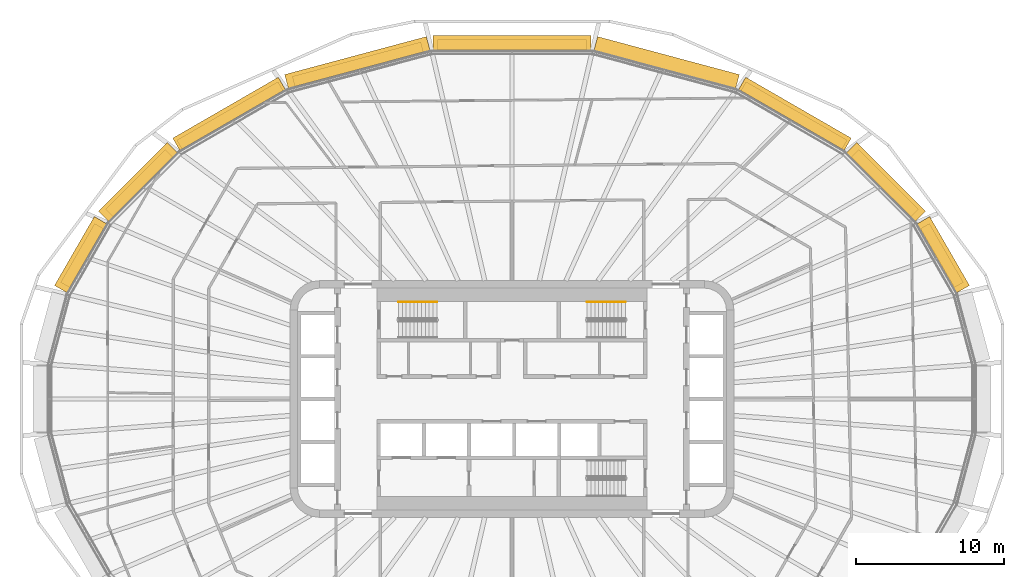
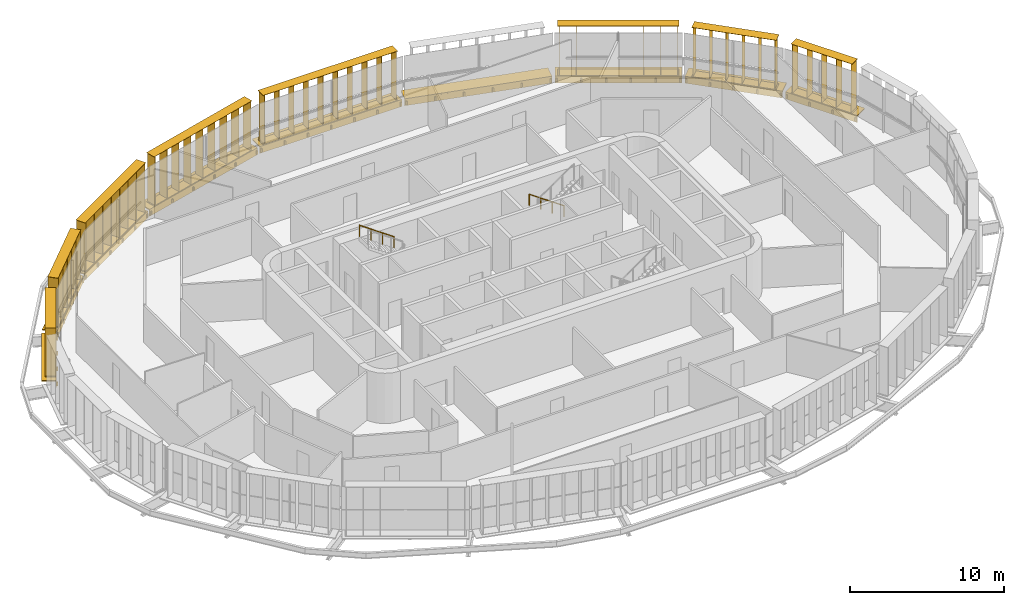
# One storey, part 22 of 23: 17 shading devices, 2 railings.
"""IFC4 building model written with IfcOpenShell, lengths in metres."""

from ifc_helpers import new_model, si_unit, direction, frame, origin, origin_2d, place, context, subcontext, project, spatial, rectangle, circle, extrude, material, type_object, element, save


model = new_model("IFC4")

# Units and contexts
model_context = context("Model", 3, precision=1e-05, world=origin(), true_north=direction((0.0, 1.0)))
body_context = subcontext(model_context, "Body", "Model", "MODEL_VIEW")
ifc_project = project(units=[si_unit("LENGTHUNIT", "METRE"), si_unit("AREAUNIT", "SQUARE_METRE"), si_unit("VOLUMEUNIT", "CUBIC_METRE"), si_unit("PLANEANGLEUNIT", "RADIAN"), si_unit("MASSUNIT", "GRAM", prefix="KILO")], contexts=[model_context])

# Site, building, storey
site_placement = place(None, origin())
site = spatial("IfcSite", under=ifc_project, at=site_placement, CompositionType="ELEMENT")
building_placement = place(site_placement, origin())
building = spatial("IfcBuilding", under=site, at=building_placement, Name="Sahrelin Media Tower", CompositionType="ELEMENT")
storey_placement = place(building_placement, frame((0.0, 0.0, 161.60009765625)))
storey = spatial("IfcBuildingStorey", under=building, at=storey_placement, Name="L33", CompositionType="ELEMENT", Elevation=161.60009765625)

# Shading devices
ifc_material_1 = material(Name="Champagne anodised aluminium 6063-T6", Category="aluminium")
shading_device_type_1 = type_object("IfcShadingDeviceType", Name="Fin cassette", PredefinedType="USERDEFINED", material=ifc_material_1)
placement_1 = place(storey_placement, frame((28.689208984375, 9.490966796875, 0.0), z_axis=(0.0, 0.0, 1.0), x_axis=(0.500011000363, -0.866019052629, 0.0)))
element("IfcShadingDevice", 1, at=placement_1, inside=storey, type_object=shading_device_type_1, Name="L33:FIN:L33-02", ObjectType="FIN", PredefinedType="USERDEFINED", context=body_context, shape_type="SweptSolid", body=[
    extrude(rectangle(XDim=4.60009765625, YDim=0.699951171875, at=origin_2d()), frame((0.0, 0.419921875, 0.0)), (0.0, 0.0, 1.0), 0.02001953125),
    extrude(rectangle(XDim=4.60009765625, YDim=0.699951171875, at=origin_2d()), frame((0.0, 0.419921875, 3.89990234375)), (0.0, 0.0, 1.0), 0.02001953125),
    extrude(rectangle(XDim=0.02001953125, YDim=0.699951171875, at=origin_2d()), frame((-2.199951171875, 0.419921875, 0.010009765625), z_axis=(0.0, 0.0, 1.0), x_axis=(1.0, 0.0, 0.0)), (0.0, 0.0, 1.0), 3.89990234375),
    extrude(rectangle(XDim=0.02001953125, YDim=0.699951171875, at=origin_2d()), frame((-1.10009765625, 0.419921875, 0.010009765625), z_axis=(0.0, 0.0, 1.0), x_axis=(1.0, 0.0, 0.0)), (0.0, 0.0, 1.0), 3.89990234375),
    extrude(rectangle(XDim=0.02001953125, YDim=0.699951171875, at=origin_2d()), frame((0.0, 0.419921875, 0.010009765625), z_axis=(0.0, 0.0, 1.0), x_axis=(1.0, 0.0, 0.0)), (0.0, 0.0, 1.0), 3.89990234375),
    extrude(rectangle(XDim=0.02001953125, YDim=0.699951171875, at=origin_2d()), frame((1.10009765625, 0.419921875, 0.010009765625), z_axis=(0.0, 0.0, 1.0), x_axis=(1.0, 0.0, 0.0)), (0.0, 0.0, 1.0), 3.89990234375),
    extrude(rectangle(XDim=0.02001953125, YDim=0.699951171875, at=origin_2d()), frame((2.199951171875, 0.419921875, 0.010009765625), z_axis=(0.0, 0.0, 1.0), x_axis=(1.0, 0.0, 0.0)), (0.0, 0.0, 1.0), 3.89990234375),
])
placement_2 = place(storey_placement, frame((24.900634765625, 14.30029296875, 0.0), z_axis=(0.0, 0.0, 1.0), x_axis=(0.707106781187, -0.707106781187, 0.0)))
element("IfcShadingDevice", 2, at=placement_2, inside=storey, type_object=shading_device_type_1, Name="L33:FIN:L33-03", ObjectType="FIN", PredefinedType="USERDEFINED", context=body_context, shape_type="SweptSolid", body=[
    extrude(rectangle(XDim=5.699951171875, YDim=0.699951171875, at=origin_2d()), frame((0.0, 0.419921875, 0.0)), (0.0, 0.0, 1.0), 0.02001953125),
    extrude(rectangle(XDim=5.699951171875, YDim=0.699951171875, at=origin_2d()), frame((0.0, 0.419921875, 3.89990234375)), (0.0, 0.0, 1.0), 0.02001953125),
    extrude(rectangle(XDim=0.02001953125, YDim=0.699951171875, at=origin_2d()), frame((-2.75, 0.419921875, 0.010009765625), z_axis=(0.0, 0.0, 1.0), x_axis=(1.0, 0.0, 0.0)), (0.0, 0.0, 1.0), 3.89990234375),
    extrude(rectangle(XDim=0.02001953125, YDim=0.699951171875, at=origin_2d()), frame((-1.64990234375, 0.419921875, 0.010009765625), z_axis=(0.0, 0.0, 1.0), x_axis=(1.0, 0.0, 0.0)), (0.0, 0.0, 1.0), 3.89990234375),
    extrude(rectangle(XDim=0.02001953125, YDim=0.699951171875, at=origin_2d()), frame((-0.550048828125, 0.419921875, 0.010009765625), z_axis=(0.0, 0.0, 1.0), x_axis=(1.0, 0.0, 0.0)), (0.0, 0.0, 1.0), 3.89990234375),
    extrude(rectangle(XDim=0.02001953125, YDim=0.699951171875, at=origin_2d()), frame((0.550048828125, 0.419921875, 0.010009765625), z_axis=(0.0, 0.0, 1.0), x_axis=(1.0, 0.0, 0.0)), (0.0, 0.0, 1.0), 3.89990234375),
    extrude(rectangle(XDim=0.02001953125, YDim=0.699951171875, at=origin_2d()), frame((1.64990234375, 0.419921875, 0.010009765625), z_axis=(0.0, 0.0, 1.0), x_axis=(1.0, 0.0, 0.0)), (0.0, 0.0, 1.0), 3.89990234375),
    extrude(rectangle(XDim=0.02001953125, YDim=0.699951171875, at=origin_2d()), frame((2.75, 0.419921875, 0.010009765625), z_axis=(0.0, 0.0, 1.0), x_axis=(1.0, 0.0, 0.0)), (0.0, 0.0, 1.0), 3.89990234375),
])
placement_3 = place(storey_placement, frame((18.85107421875, 18.804931640625, 0.0), z_axis=(0.0, 0.0, 1.0), x_axis=(0.866019052629, -0.500011000363, 0.0)))
element("IfcShadingDevice", 3, at=placement_3, inside=storey, type_object=shading_device_type_1, Name="L33:FIN:L33-04", ObjectType="FIN", PredefinedType="USERDEFINED", context=body_context, shape_type="SweptSolid", body=[
    extrude(rectangle(XDim=7.89990234375, YDim=0.699951171875, at=origin_2d()), frame((0.0, 0.419921875, 0.0)), (0.0, 0.0, 1.0), 0.02001953125),
    extrude(rectangle(XDim=7.89990234375, YDim=0.699951171875, at=origin_2d()), frame((0.0, 0.419921875, 3.89990234375)), (0.0, 0.0, 1.0), 0.02001953125),
    extrude(rectangle(XDim=0.02001953125, YDim=0.699951171875, at=origin_2d()), frame((-3.85009765625, 0.419921875, 0.010009765625), z_axis=(0.0, 0.0, 1.0), x_axis=(1.0, 0.0, 0.0)), (0.0, 0.0, 1.0), 3.89990234375),
    extrude(rectangle(XDim=0.02001953125, YDim=0.699951171875, at=origin_2d()), frame((-2.75, 0.419921875, 0.010009765625), z_axis=(0.0, 0.0, 1.0), x_axis=(1.0, 0.0, 0.0)), (0.0, 0.0, 1.0), 3.89990234375),
    extrude(rectangle(XDim=0.02001953125, YDim=0.699951171875, at=origin_2d()), frame((-1.64990234375, 0.419921875, 0.010009765625), z_axis=(0.0, 0.0, 1.0), x_axis=(1.0, 0.0, 0.0)), (0.0, 0.0, 1.0), 3.89990234375),
    extrude(rectangle(XDim=0.02001953125, YDim=0.699951171875, at=origin_2d()), frame((-0.550048828125, 0.419921875, 0.010009765625), z_axis=(0.0, 0.0, 1.0), x_axis=(1.0, 0.0, 0.0)), (0.0, 0.0, 1.0), 3.89990234375),
    extrude(rectangle(XDim=0.02001953125, YDim=0.699951171875, at=origin_2d()), frame((0.550048828125, 0.419921875, 0.010009765625), z_axis=(0.0, 0.0, 1.0), x_axis=(1.0, 0.0, 0.0)), (0.0, 0.0, 1.0), 3.89990234375),
    extrude(rectangle(XDim=0.02001953125, YDim=0.699951171875, at=origin_2d()), frame((1.64990234375, 0.419921875, 0.010009765625), z_axis=(0.0, 0.0, 1.0), x_axis=(1.0, 0.0, 0.0)), (0.0, 0.0, 1.0), 3.89990234375),
    extrude(rectangle(XDim=0.02001953125, YDim=0.699951171875, at=origin_2d()), frame((2.75, 0.419921875, 0.010009765625), z_axis=(0.0, 0.0, 1.0), x_axis=(1.0, 0.0, 0.0)), (0.0, 0.0, 1.0), 3.89990234375),
    extrude(rectangle(XDim=0.02001953125, YDim=0.699951171875, at=origin_2d()), frame((3.85009765625, 0.419921875, 0.010009765625), z_axis=(0.0, 0.0, 1.0), x_axis=(1.0, 0.0, 0.0)), (0.0, 0.0, 1.0), 3.89990234375),
])
placement_4 = place(storey_placement, frame((0.0, 23.532470703125, 0.0), z_axis=(0.0, 0.0, 1.0), x_axis=(1.0, 0.0, 0.0)))
element("IfcShadingDevice", 4, at=placement_4, inside=storey, type_object=shading_device_type_1, Name="L33:FIN:L33-06", ObjectType="FIN", PredefinedType="USERDEFINED", context=body_context, shape_type="SweptSolid", body=[
    extrude(rectangle(XDim=10.10009765625, YDim=0.699951171875, at=origin_2d()), frame((0.0, 0.419921875, 0.0)), (0.0, 0.0, 1.0), 0.02001953125),
    extrude(rectangle(XDim=10.10009765625, YDim=0.699951171875, at=origin_2d()), frame((0.0, 0.419921875, 3.89990234375)), (0.0, 0.0, 1.0), 0.02001953125),
    extrude(rectangle(XDim=0.02001953125, YDim=0.699951171875, at=origin_2d()), frame((-4.949951171875, 0.419921875, 0.010009765625), z_axis=(0.0, 0.0, 1.0), x_axis=(1.0, 0.0, 0.0)), (0.0, 0.0, 1.0), 3.89990234375),
    extrude(rectangle(XDim=0.02001953125, YDim=0.699951171875, at=origin_2d()), frame((-3.85009765625, 0.419921875, 0.010009765625), z_axis=(0.0, 0.0, 1.0), x_axis=(1.0, 0.0, 0.0)), (0.0, 0.0, 1.0), 3.89990234375),
    extrude(rectangle(XDim=0.02001953125, YDim=0.699951171875, at=origin_2d()), frame((-2.75, 0.419921875, 0.010009765625), z_axis=(0.0, 0.0, 1.0), x_axis=(1.0, 0.0, 0.0)), (0.0, 0.0, 1.0), 3.89990234375),
    extrude(rectangle(XDim=0.02001953125, YDim=0.699951171875, at=origin_2d()), frame((-1.64990234375, 0.419921875, 0.010009765625), z_axis=(0.0, 0.0, 1.0), x_axis=(1.0, 0.0, 0.0)), (0.0, 0.0, 1.0), 3.89990234375),
    extrude(rectangle(XDim=0.02001953125, YDim=0.699951171875, at=origin_2d()), frame((-0.550048828125, 0.419921875, 0.010009765625), z_axis=(0.0, 0.0, 1.0), x_axis=(1.0, 0.0, 0.0)), (0.0, 0.0, 1.0), 3.89990234375),
    extrude(rectangle(XDim=0.02001953125, YDim=0.699951171875, at=origin_2d()), frame((0.550048828125, 0.419921875, 0.010009765625), z_axis=(0.0, 0.0, 1.0), x_axis=(1.0, 0.0, 0.0)), (0.0, 0.0, 1.0), 3.89990234375),
    extrude(rectangle(XDim=0.02001953125, YDim=0.699951171875, at=origin_2d()), frame((1.64990234375, 0.419921875, 0.010009765625), z_axis=(0.0, 0.0, 1.0), x_axis=(1.0, 0.0, 0.0)), (0.0, 0.0, 1.0), 3.89990234375),
    extrude(rectangle(XDim=0.02001953125, YDim=0.699951171875, at=origin_2d()), frame((2.75, 0.419921875, 0.010009765625), z_axis=(0.0, 0.0, 1.0), x_axis=(1.0, 0.0, 0.0)), (0.0, 0.0, 1.0), 3.89990234375),
    extrude(rectangle(XDim=0.02001953125, YDim=0.699951171875, at=origin_2d()), frame((3.85009765625, 0.419921875, 0.010009765625), z_axis=(0.0, 0.0, 1.0), x_axis=(1.0, 0.0, 0.0)), (0.0, 0.0, 1.0), 3.89990234375),
    extrude(rectangle(XDim=0.02001953125, YDim=0.699951171875, at=origin_2d()), frame((4.949951171875, 0.419921875, 0.010009765625), z_axis=(0.0, 0.0, 1.0), x_axis=(1.0, 0.0, 0.0)), (0.0, 0.0, 1.0), 3.89990234375),
])
placement_5 = place(storey_placement, frame((-10.312255859375, 22.2236328125, 0.0), z_axis=(0.0, 0.0, 1.0), x_axis=(0.965928857556, 0.258807731996, 0.0)))
element("IfcShadingDevice", 5, at=placement_5, inside=storey, type_object=shading_device_type_1, Name="L33:FIN:L33-07", ObjectType="FIN", PredefinedType="USERDEFINED", context=body_context, shape_type="SweptSolid", body=[
    extrude(rectangle(XDim=9.0, YDim=0.699951171875, at=origin_2d()), frame((0.0, 0.419921875, 0.0)), (0.0, 0.0, 1.0), 0.02001953125),
    extrude(rectangle(XDim=9.0, YDim=0.699951171875, at=origin_2d()), frame((0.0, 0.419921875, 3.89990234375)), (0.0, 0.0, 1.0), 0.02001953125),
    extrude(rectangle(XDim=0.02001953125, YDim=0.699951171875, at=origin_2d()), frame((-4.39990234375, 0.419921875, 0.010009765625), z_axis=(0.0, 0.0, 1.0), x_axis=(1.0, 0.0, 0.0)), (0.0, 0.0, 1.0), 3.89990234375),
    extrude(rectangle(XDim=0.02001953125, YDim=0.699951171875, at=origin_2d()), frame((-3.300048828125, 0.419921875, 0.010009765625), z_axis=(0.0, 0.0, 1.0), x_axis=(1.0, 0.0, 0.0)), (0.0, 0.0, 1.0), 3.89990234375),
    extrude(rectangle(XDim=0.02001953125, YDim=0.699951171875, at=origin_2d()), frame((-2.199951171875, 0.419921875, 0.010009765625), z_axis=(0.0, 0.0, 1.0), x_axis=(1.0, 0.0, 0.0)), (0.0, 0.0, 1.0), 3.89990234375),
    extrude(rectangle(XDim=0.02001953125, YDim=0.699951171875, at=origin_2d()), frame((-1.10009765625, 0.419921875, 0.010009765625), z_axis=(0.0, 0.0, 1.0), x_axis=(1.0, 0.0, 0.0)), (0.0, 0.0, 1.0), 3.89990234375),
    extrude(rectangle(XDim=0.02001953125, YDim=0.699951171875, at=origin_2d()), frame((0.0, 0.419921875, 0.010009765625), z_axis=(0.0, 0.0, 1.0), x_axis=(1.0, 0.0, 0.0)), (0.0, 0.0, 1.0), 3.89990234375),
    extrude(rectangle(XDim=0.02001953125, YDim=0.699951171875, at=origin_2d()), frame((1.10009765625, 0.419921875, 0.010009765625), z_axis=(0.0, 0.0, 1.0), x_axis=(1.0, 0.0, 0.0)), (0.0, 0.0, 1.0), 3.89990234375),
    extrude(rectangle(XDim=0.02001953125, YDim=0.699951171875, at=origin_2d()), frame((2.199951171875, 0.419921875, 0.010009765625), z_axis=(0.0, 0.0, 1.0), x_axis=(1.0, 0.0, 0.0)), (0.0, 0.0, 1.0), 3.89990234375),
    extrude(rectangle(XDim=0.02001953125, YDim=0.699951171875, at=origin_2d()), frame((3.300048828125, 0.419921875, 0.010009765625), z_axis=(0.0, 0.0, 1.0), x_axis=(1.0, 0.0, 0.0)), (0.0, 0.0, 1.0), 3.89990234375),
    extrude(rectangle(XDim=0.02001953125, YDim=0.699951171875, at=origin_2d()), frame((4.39990234375, 0.419921875, 0.010009765625), z_axis=(0.0, 0.0, 1.0), x_axis=(1.0, 0.0, 0.0)), (0.0, 0.0, 1.0), 3.89990234375),
])
placement_6 = place(storey_placement, frame((-18.85107421875, 18.804931640625, 0.0), z_axis=(0.0, 0.0, 1.0), x_axis=(0.866019052629, 0.500011000363, 0.0)))
element("IfcShadingDevice", 6, at=placement_6, inside=storey, type_object=shading_device_type_1, Name="L33:FIN:L33-08", ObjectType="FIN", PredefinedType="USERDEFINED", context=body_context, shape_type="SweptSolid", body=[
    extrude(rectangle(XDim=7.89990234375, YDim=0.699951171875, at=origin_2d()), frame((0.0, 0.419921875, 0.0)), (0.0, 0.0, 1.0), 0.02001953125),
    extrude(rectangle(XDim=7.89990234375, YDim=0.699951171875, at=origin_2d()), frame((0.0, 0.419921875, 3.89990234375)), (0.0, 0.0, 1.0), 0.02001953125),
    extrude(rectangle(XDim=0.02001953125, YDim=0.699951171875, at=origin_2d()), frame((-3.85009765625, 0.419921875, 0.010009765625), z_axis=(0.0, 0.0, 1.0), x_axis=(1.0, 0.0, 0.0)), (0.0, 0.0, 1.0), 3.89990234375),
    extrude(rectangle(XDim=0.02001953125, YDim=0.699951171875, at=origin_2d()), frame((-2.75, 0.419921875, 0.010009765625), z_axis=(0.0, 0.0, 1.0), x_axis=(1.0, 0.0, 0.0)), (0.0, 0.0, 1.0), 3.89990234375),
    extrude(rectangle(XDim=0.02001953125, YDim=0.699951171875, at=origin_2d()), frame((-1.64990234375, 0.419921875, 0.010009765625), z_axis=(0.0, 0.0, 1.0), x_axis=(1.0, 0.0, 0.0)), (0.0, 0.0, 1.0), 3.89990234375),
    extrude(rectangle(XDim=0.02001953125, YDim=0.699951171875, at=origin_2d()), frame((-0.550048828125, 0.419921875, 0.010009765625), z_axis=(0.0, 0.0, 1.0), x_axis=(1.0, 0.0, 0.0)), (0.0, 0.0, 1.0), 3.89990234375),
    extrude(rectangle(XDim=0.02001953125, YDim=0.699951171875, at=origin_2d()), frame((0.550048828125, 0.419921875, 0.010009765625), z_axis=(0.0, 0.0, 1.0), x_axis=(1.0, 0.0, 0.0)), (0.0, 0.0, 1.0), 3.89990234375),
    extrude(rectangle(XDim=0.02001953125, YDim=0.699951171875, at=origin_2d()), frame((1.64990234375, 0.419921875, 0.010009765625), z_axis=(0.0, 0.0, 1.0), x_axis=(1.0, 0.0, 0.0)), (0.0, 0.0, 1.0), 3.89990234375),
    extrude(rectangle(XDim=0.02001953125, YDim=0.699951171875, at=origin_2d()), frame((2.75, 0.419921875, 0.010009765625), z_axis=(0.0, 0.0, 1.0), x_axis=(1.0, 0.0, 0.0)), (0.0, 0.0, 1.0), 3.89990234375),
    extrude(rectangle(XDim=0.02001953125, YDim=0.699951171875, at=origin_2d()), frame((3.85009765625, 0.419921875, 0.010009765625), z_axis=(0.0, 0.0, 1.0), x_axis=(1.0, 0.0, 0.0)), (0.0, 0.0, 1.0), 3.89990234375),
])
placement_7 = place(storey_placement, frame((-24.900390625, 14.300048828125, 0.0), z_axis=(0.0, 0.0, 1.0), x_axis=(0.707106781187, 0.707106781187, 0.0)))
element("IfcShadingDevice", 7, at=placement_7, inside=storey, type_object=shading_device_type_1, Name="L33:FIN:L33-09", ObjectType="FIN", PredefinedType="USERDEFINED", context=body_context, shape_type="SweptSolid", body=[
    extrude(rectangle(XDim=5.699951171875, YDim=0.699951171875, at=origin_2d()), frame((0.0, 0.419921875, 0.0)), (0.0, 0.0, 1.0), 0.02001953125),
    extrude(rectangle(XDim=5.699951171875, YDim=0.699951171875, at=origin_2d()), frame((0.0, 0.419921875, 3.89990234375)), (0.0, 0.0, 1.0), 0.02001953125),
    extrude(rectangle(XDim=0.02001953125, YDim=0.699951171875, at=origin_2d()), frame((-2.75, 0.419921875, 0.010009765625), z_axis=(0.0, 0.0, 1.0), x_axis=(1.0, 0.0, 0.0)), (0.0, 0.0, 1.0), 3.89990234375),
    extrude(rectangle(XDim=0.02001953125, YDim=0.699951171875, at=origin_2d()), frame((-1.64990234375, 0.419921875, 0.010009765625), z_axis=(0.0, 0.0, 1.0), x_axis=(1.0, 0.0, 0.0)), (0.0, 0.0, 1.0), 3.89990234375),
    extrude(rectangle(XDim=0.02001953125, YDim=0.699951171875, at=origin_2d()), frame((-0.550048828125, 0.419921875, 0.010009765625), z_axis=(0.0, 0.0, 1.0), x_axis=(1.0, 0.0, 0.0)), (0.0, 0.0, 1.0), 3.89990234375),
    extrude(rectangle(XDim=0.02001953125, YDim=0.699951171875, at=origin_2d()), frame((0.550048828125, 0.419921875, 0.010009765625), z_axis=(0.0, 0.0, 1.0), x_axis=(1.0, 0.0, 0.0)), (0.0, 0.0, 1.0), 3.89990234375),
    extrude(rectangle(XDim=0.02001953125, YDim=0.699951171875, at=origin_2d()), frame((1.64990234375, 0.419921875, 0.010009765625), z_axis=(0.0, 0.0, 1.0), x_axis=(1.0, 0.0, 0.0)), (0.0, 0.0, 1.0), 3.89990234375),
    extrude(rectangle(XDim=0.02001953125, YDim=0.699951171875, at=origin_2d()), frame((2.75, 0.419921875, 0.010009765625), z_axis=(0.0, 0.0, 1.0), x_axis=(1.0, 0.0, 0.0)), (0.0, 0.0, 1.0), 3.89990234375),
])
placement_8 = place(storey_placement, frame((-28.689208984375, 9.490966796875, 0.0), z_axis=(0.0, 0.0, 1.0), x_axis=(0.500011000363, 0.866019052629, 0.0)))
element("IfcShadingDevice", 8, at=placement_8, inside=storey, type_object=shading_device_type_1, Name="L33:FIN:L33-10", ObjectType="FIN", PredefinedType="USERDEFINED", context=body_context, shape_type="SweptSolid", body=[
    extrude(rectangle(XDim=4.60009765625, YDim=0.699951171875, at=origin_2d()), frame((0.0, 0.419921875, 0.0)), (0.0, 0.0, 1.0), 0.02001953125),
    extrude(rectangle(XDim=4.60009765625, YDim=0.699951171875, at=origin_2d()), frame((0.0, 0.419921875, 3.89990234375)), (0.0, 0.0, 1.0), 0.02001953125),
    extrude(rectangle(XDim=0.02001953125, YDim=0.699951171875, at=origin_2d()), frame((-2.199951171875, 0.419921875, 0.010009765625), z_axis=(0.0, 0.0, 1.0), x_axis=(1.0, 0.0, 0.0)), (0.0, 0.0, 1.0), 3.89990234375),
    extrude(rectangle(XDim=0.02001953125, YDim=0.699951171875, at=origin_2d()), frame((-1.10009765625, 0.419921875, 0.010009765625), z_axis=(0.0, 0.0, 1.0), x_axis=(1.0, 0.0, 0.0)), (0.0, 0.0, 1.0), 3.89990234375),
    extrude(rectangle(XDim=0.02001953125, YDim=0.699951171875, at=origin_2d()), frame((0.0, 0.419921875, 0.010009765625), z_axis=(0.0, 0.0, 1.0), x_axis=(1.0, 0.0, 0.0)), (0.0, 0.0, 1.0), 3.89990234375),
    extrude(rectangle(XDim=0.02001953125, YDim=0.699951171875, at=origin_2d()), frame((1.10009765625, 0.419921875, 0.010009765625), z_axis=(0.0, 0.0, 1.0), x_axis=(1.0, 0.0, 0.0)), (0.0, 0.0, 1.0), 3.89990234375),
    extrude(rectangle(XDim=0.02001953125, YDim=0.699951171875, at=origin_2d()), frame((2.199951171875, 0.419921875, 0.010009765625), z_axis=(0.0, 0.0, 1.0), x_axis=(1.0, 0.0, 0.0)), (0.0, 0.0, 1.0), 3.89990234375),
])

# Railings
ifc_material_2 = material(Name="Steel S355", Category="steel")
railing_type = type_object("IfcRailingType", Name="Stair handrail 900", PredefinedType="HANDRAIL", material=ifc_material_2)
for number, where, name in (
    (9, (-5.074951171875, 6.550048828125, 2.181640625), "L33 ST1 stair handrail 2"),
    (10, (7.675048828125, 6.550048828125, 0.181640625), "L33 ST3 stair handrail 1"),
):
    element("IfcRailing", number, at=place(storey_placement, frame(where)), inside=storey, type_object=railing_type, Name=name, PredefinedType="HANDRAIL", context=body_context, shape_type="SweptSolid", body=[
        extrude(circle(Radius=0.02392578125, at=origin_2d()), frame((0.0, 0.0, 0.8759765625), z_axis=(-0.819484887739, 0.0, 0.573100792852), x_axis=(0.0, -1.0, 0.0)), (0.0, 0.0, 1.0), 3.1728515625),
        extrude(circle(Radius=0.02099609375, at=origin_2d()), origin(), (0.0, 0.0, 1.0), 0.851806640625),
        extrude(circle(Radius=0.02099609375, at=origin_2d()), frame((-0.86669921875, 0.0, 0.606201171875)), (0.0, 0.0, 1.0), 0.851806640625),
        extrude(circle(Radius=0.02099609375, at=origin_2d()), frame((-1.7333984375, 0.0, 1.212158203125)), (0.0, 0.0, 1.0), 0.851806640625),
        extrude(circle(Radius=0.02099609375, at=origin_2d()), frame((-2.60009765625, 0.0, 1.818359375)), (0.0, 0.0, 1.0), 0.851806640625),
    ])

# Shading devices
shading_device_type_2 = type_object("IfcShadingDeviceType", Name="Sunshade band", PredefinedType="USERDEFINED", material=ifc_material_1)
element("IfcShadingDevice", 11, at=placement_1, inside=storey, type_object=shading_device_type_2, Name="L33:SUN:L33-02", ObjectType="SUNSHADE", PredefinedType="USERDEFINED", context=body_context, shape_type="SweptSolid", body=[
    extrude(rectangle(XDim=5.375732421875, YDim=0.050048828125, at=origin_2d()), frame((0.0, 0.044921875, -0.55126953125)), (0.0, 0.0, 1.0), 0.471435546875),
    extrude(rectangle(XDim=5.375732421875, YDim=1.0, at=origin_2d()), frame((0.0, 0.52001953125, -0.080078125)), (0.0, 0.0, 1.0), 0.080078125),
    extrude(rectangle(XDim=0.10009765625, YDim=0.074951171875, at=origin_2d()), frame((-2.587890625, -0.017578125, -0.47021484375)), (0.0, 0.0, 1.0), 0.300048828125),
    extrude(rectangle(XDim=0.10009765625, YDim=0.074951171875, at=origin_2d()), frame((-0.862548828125, -0.017578125, -0.47021484375)), (0.0, 0.0, 1.0), 0.300048828125),
    extrude(rectangle(XDim=0.10009765625, YDim=0.074951171875, at=origin_2d()), frame((0.862548828125, -0.017578125, -0.47021484375)), (0.0, 0.0, 1.0), 0.300048828125),
    extrude(rectangle(XDim=0.10009765625, YDim=0.074951171875, at=origin_2d()), frame((2.587890625, -0.017578125, -0.47021484375)), (0.0, 0.0, 1.0), 0.300048828125),
])
element("IfcShadingDevice", 12, at=placement_2, inside=storey, type_object=shading_device_type_2, Name="L33:SUN:L33-03", ObjectType="SUNSHADE", PredefinedType="USERDEFINED", context=body_context, shape_type="SweptSolid", body=[
    extrude(rectangle(XDim=6.573486328125, YDim=0.050048828125, at=origin_2d()), frame((0.0, 0.044921875, -0.55126953125)), (0.0, 0.0, 1.0), 0.471435546875),
    extrude(rectangle(XDim=6.573486328125, YDim=1.0, at=origin_2d()), frame((0.0, 0.52001953125, -0.080078125)), (0.0, 0.0, 1.0), 0.080078125),
    extrude(rectangle(XDim=0.10009765625, YDim=0.074951171875, at=origin_2d()), frame((-3.186767578125, -0.017578125, -0.47021484375)), (0.0, 0.0, 1.0), 0.300048828125),
    extrude(rectangle(XDim=0.10009765625, YDim=0.074951171875, at=origin_2d()), frame((-1.59326171875, -0.017578125, -0.47021484375)), (0.0, 0.0, 1.0), 0.300048828125),
    extrude(rectangle(XDim=0.10009765625, YDim=0.074951171875, at=origin_2d()), frame((0.0, -0.017578125, -0.47021484375)), (0.0, 0.0, 1.0), 0.300048828125),
    extrude(rectangle(XDim=0.10009765625, YDim=0.074951171875, at=origin_2d()), frame((1.59326171875, -0.017578125, -0.47021484375)), (0.0, 0.0, 1.0), 0.300048828125),
    extrude(rectangle(XDim=0.10009765625, YDim=0.074951171875, at=origin_2d()), frame((3.186767578125, -0.017578125, -0.47021484375)), (0.0, 0.0, 1.0), 0.300048828125),
])
element("IfcShadingDevice", 13, at=placement_3, inside=storey, type_object=shading_device_type_2, Name="L33:SUN:L33-04", ObjectType="SUNSHADE", PredefinedType="USERDEFINED", context=body_context, shape_type="SweptSolid", body=[
    extrude(rectangle(XDim=8.240478515625, YDim=0.050048828125, at=origin_2d()), frame((0.0, 0.044921875, -0.55126953125)), (0.0, 0.0, 1.0), 0.471435546875),
    extrude(rectangle(XDim=8.240478515625, YDim=1.0, at=origin_2d()), frame((0.0, 0.52001953125, -0.080078125)), (0.0, 0.0, 1.0), 0.080078125),
    extrude(rectangle(XDim=0.10009765625, YDim=0.074951171875, at=origin_2d()), frame((-4.020263671875, -0.017578125, -0.47021484375)), (0.0, 0.0, 1.0), 0.300048828125),
    extrude(rectangle(XDim=0.10009765625, YDim=0.074951171875, at=origin_2d()), frame((-2.412109375, -0.017578125, -0.47021484375)), (0.0, 0.0, 1.0), 0.300048828125),
    extrude(rectangle(XDim=0.10009765625, YDim=0.074951171875, at=origin_2d()), frame((-0.803955078125, -0.017578125, -0.47021484375)), (0.0, 0.0, 1.0), 0.300048828125),
    extrude(rectangle(XDim=0.10009765625, YDim=0.074951171875, at=origin_2d()), frame((0.803955078125, -0.017578125, -0.47021484375)), (0.0, 0.0, 1.0), 0.300048828125),
    extrude(rectangle(XDim=0.10009765625, YDim=0.074951171875, at=origin_2d()), frame((2.412109375, -0.017578125, -0.47021484375)), (0.0, 0.0, 1.0), 0.300048828125),
    extrude(rectangle(XDim=0.10009765625, YDim=0.074951171875, at=origin_2d()), frame((4.020263671875, -0.017578125, -0.47021484375)), (0.0, 0.0, 1.0), 0.300048828125),
])
shading_device_12_placement = place(storey_placement, frame((10.312255859375, 22.2236328125, 0.0), z_axis=(0.0, 0.0, 1.0), x_axis=(0.965928857556, -0.258807731996, 0.0)))
element("IfcShadingDevice", 14, at=shading_device_12_placement, inside=storey, type_object=shading_device_type_2, Name="L33:SUN:L33-05", ObjectType="SUNSHADE", PredefinedType="USERDEFINED", context=body_context, shape_type="SweptSolid", body=[
    extrude(rectangle(XDim=9.91259765625, YDim=0.050048828125, at=origin_2d()), frame((0.0, 0.044921875, -0.55126953125)), (0.0, 0.0, 1.0), 0.471435546875),
    extrude(rectangle(XDim=9.91259765625, YDim=1.0, at=origin_2d()), frame((0.0, 0.52001953125, -0.080078125)), (0.0, 0.0, 1.0), 0.080078125),
    extrude(rectangle(XDim=0.10009765625, YDim=0.074951171875, at=origin_2d()), frame((-4.856201171875, -0.017578125, -0.47021484375)), (0.0, 0.0, 1.0), 0.300048828125),
    extrude(rectangle(XDim=0.10009765625, YDim=0.074951171875, at=origin_2d()), frame((-2.913818359375, -0.017578125, -0.47021484375)), (0.0, 0.0, 1.0), 0.300048828125),
    extrude(rectangle(XDim=0.10009765625, YDim=0.074951171875, at=origin_2d()), frame((-0.97119140625, -0.017578125, -0.47021484375)), (0.0, 0.0, 1.0), 0.300048828125),
    extrude(rectangle(XDim=0.10009765625, YDim=0.074951171875, at=origin_2d()), frame((0.97119140625, -0.017578125, -0.47021484375)), (0.0, 0.0, 1.0), 0.300048828125),
    extrude(rectangle(XDim=0.10009765625, YDim=0.074951171875, at=origin_2d()), frame((2.913818359375, -0.017578125, -0.47021484375)), (0.0, 0.0, 1.0), 0.300048828125),
    extrude(rectangle(XDim=0.10009765625, YDim=0.074951171875, at=origin_2d()), frame((4.856201171875, -0.017578125, -0.47021484375)), (0.0, 0.0, 1.0), 0.300048828125),
])
element("IfcShadingDevice", 15, at=placement_4, inside=storey, type_object=shading_device_type_2, Name="L33:SUN:L33-06", ObjectType="SUNSHADE", PredefinedType="USERDEFINED", context=body_context, shape_type="SweptSolid", body=[
    extrude(rectangle(XDim=10.656494140625, YDim=0.050048828125, at=origin_2d()), frame((0.0, 0.044921875, -0.55126953125)), (0.0, 0.0, 1.0), 0.471435546875),
    extrude(rectangle(XDim=10.656494140625, YDim=1.0, at=origin_2d()), frame((0.0, 0.52001953125, -0.080078125)), (0.0, 0.0, 1.0), 0.080078125),
    extrude(rectangle(XDim=0.10009765625, YDim=0.074951171875, at=origin_2d()), frame((-5.228271484375, -0.017578125, -0.47021484375)), (0.0, 0.0, 1.0), 0.300048828125),
    extrude(rectangle(XDim=0.10009765625, YDim=0.074951171875, at=origin_2d()), frame((-3.485595703125, -0.017578125, -0.47021484375)), (0.0, 0.0, 1.0), 0.300048828125),
    extrude(rectangle(XDim=0.10009765625, YDim=0.074951171875, at=origin_2d()), frame((-1.74267578125, -0.017578125, -0.47021484375)), (0.0, 0.0, 1.0), 0.300048828125),
    extrude(rectangle(XDim=0.10009765625, YDim=0.074951171875, at=origin_2d()), frame((0.0, -0.017578125, -0.47021484375)), (0.0, 0.0, 1.0), 0.300048828125),
    extrude(rectangle(XDim=0.10009765625, YDim=0.074951171875, at=origin_2d()), frame((1.74267578125, -0.017578125, -0.47021484375)), (0.0, 0.0, 1.0), 0.300048828125),
    extrude(rectangle(XDim=0.10009765625, YDim=0.074951171875, at=origin_2d()), frame((3.485595703125, -0.017578125, -0.47021484375)), (0.0, 0.0, 1.0), 0.300048828125),
    extrude(rectangle(XDim=0.10009765625, YDim=0.074951171875, at=origin_2d()), frame((5.228271484375, -0.017578125, -0.47021484375)), (0.0, 0.0, 1.0), 0.300048828125),
])
element("IfcShadingDevice", 16, at=placement_5, inside=storey, type_object=shading_device_type_2, Name="L33:SUN:L33-07", ObjectType="SUNSHADE", PredefinedType="USERDEFINED", context=body_context, shape_type="SweptSolid", body=[
    extrude(rectangle(XDim=9.91259765625, YDim=0.050048828125, at=origin_2d()), frame((0.0, 0.044921875, -0.55126953125)), (0.0, 0.0, 1.0), 0.471435546875),
    extrude(rectangle(XDim=9.91259765625, YDim=1.0, at=origin_2d()), frame((0.0, 0.52001953125, -0.080078125)), (0.0, 0.0, 1.0), 0.080078125),
    extrude(rectangle(XDim=0.10009765625, YDim=0.074951171875, at=origin_2d()), frame((-4.856201171875, -0.017578125, -0.47021484375)), (0.0, 0.0, 1.0), 0.300048828125),
    extrude(rectangle(XDim=0.10009765625, YDim=0.074951171875, at=origin_2d()), frame((-2.913818359375, -0.017578125, -0.47021484375)), (0.0, 0.0, 1.0), 0.300048828125),
    extrude(rectangle(XDim=0.10009765625, YDim=0.074951171875, at=origin_2d()), frame((-0.97119140625, -0.017578125, -0.47021484375)), (0.0, 0.0, 1.0), 0.300048828125),
    extrude(rectangle(XDim=0.10009765625, YDim=0.074951171875, at=origin_2d()), frame((0.97119140625, -0.017578125, -0.47021484375)), (0.0, 0.0, 1.0), 0.300048828125),
    extrude(rectangle(XDim=0.10009765625, YDim=0.074951171875, at=origin_2d()), frame((2.913818359375, -0.017578125, -0.47021484375)), (0.0, 0.0, 1.0), 0.300048828125),
    extrude(rectangle(XDim=0.10009765625, YDim=0.074951171875, at=origin_2d()), frame((4.856201171875, -0.017578125, -0.47021484375)), (0.0, 0.0, 1.0), 0.300048828125),
])
element("IfcShadingDevice", 17, at=placement_6, inside=storey, type_object=shading_device_type_2, Name="L33:SUN:L33-08", ObjectType="SUNSHADE", PredefinedType="USERDEFINED", context=body_context, shape_type="SweptSolid", body=[
    extrude(rectangle(XDim=8.240478515625, YDim=0.050048828125, at=origin_2d()), frame((0.0, 0.044921875, -0.55126953125)), (0.0, 0.0, 1.0), 0.471435546875),
    extrude(rectangle(XDim=8.240478515625, YDim=1.0, at=origin_2d()), frame((0.0, 0.52001953125, -0.080078125)), (0.0, 0.0, 1.0), 0.080078125),
    extrude(rectangle(XDim=0.10009765625, YDim=0.074951171875, at=origin_2d()), frame((-4.020263671875, -0.017578125, -0.47021484375)), (0.0, 0.0, 1.0), 0.300048828125),
    extrude(rectangle(XDim=0.10009765625, YDim=0.074951171875, at=origin_2d()), frame((-2.412109375, -0.017578125, -0.47021484375)), (0.0, 0.0, 1.0), 0.300048828125),
    extrude(rectangle(XDim=0.10009765625, YDim=0.074951171875, at=origin_2d()), frame((-0.803955078125, -0.017578125, -0.47021484375)), (0.0, 0.0, 1.0), 0.300048828125),
    extrude(rectangle(XDim=0.10009765625, YDim=0.074951171875, at=origin_2d()), frame((0.803955078125, -0.017578125, -0.47021484375)), (0.0, 0.0, 1.0), 0.300048828125),
    extrude(rectangle(XDim=0.10009765625, YDim=0.074951171875, at=origin_2d()), frame((2.412109375, -0.017578125, -0.47021484375)), (0.0, 0.0, 1.0), 0.300048828125),
    extrude(rectangle(XDim=0.10009765625, YDim=0.074951171875, at=origin_2d()), frame((4.020263671875, -0.017578125, -0.47021484375)), (0.0, 0.0, 1.0), 0.300048828125),
])
element("IfcShadingDevice", 18, at=placement_7, inside=storey, type_object=shading_device_type_2, Name="L33:SUN:L33-09", ObjectType="SUNSHADE", PredefinedType="USERDEFINED", context=body_context, shape_type="SweptSolid", body=[
    extrude(rectangle(XDim=6.573486328125, YDim=0.050048828125, at=origin_2d()), frame((0.0, 0.044921875, -0.55126953125)), (0.0, 0.0, 1.0), 0.471435546875),
    extrude(rectangle(XDim=6.573486328125, YDim=1.0, at=origin_2d()), frame((0.0, 0.52001953125, -0.080078125)), (0.0, 0.0, 1.0), 0.080078125),
    extrude(rectangle(XDim=0.10009765625, YDim=0.074951171875, at=origin_2d()), frame((-3.186767578125, -0.017578125, -0.47021484375)), (0.0, 0.0, 1.0), 0.300048828125),
    extrude(rectangle(XDim=0.10009765625, YDim=0.074951171875, at=origin_2d()), frame((-1.59326171875, -0.017578125, -0.47021484375)), (0.0, 0.0, 1.0), 0.300048828125),
    extrude(rectangle(XDim=0.10009765625, YDim=0.074951171875, at=origin_2d()), frame((0.0, -0.017578125, -0.47021484375)), (0.0, 0.0, 1.0), 0.300048828125),
    extrude(rectangle(XDim=0.10009765625, YDim=0.074951171875, at=origin_2d()), frame((1.59326171875, -0.017578125, -0.47021484375)), (0.0, 0.0, 1.0), 0.300048828125),
    extrude(rectangle(XDim=0.10009765625, YDim=0.074951171875, at=origin_2d()), frame((3.186767578125, -0.017578125, -0.47021484375)), (0.0, 0.0, 1.0), 0.300048828125),
])
element("IfcShadingDevice", 19, at=placement_8, inside=storey, type_object=shading_device_type_2, Name="L33:SUN:L33-10", ObjectType="SUNSHADE", PredefinedType="USERDEFINED", context=body_context, shape_type="SweptSolid", body=[
    extrude(rectangle(XDim=5.375732421875, YDim=0.050048828125, at=origin_2d()), frame((0.0, 0.044921875, -0.55126953125)), (0.0, 0.0, 1.0), 0.471435546875),
    extrude(rectangle(XDim=5.375732421875, YDim=1.0, at=origin_2d()), frame((0.0, 0.52001953125, -0.080078125)), (0.0, 0.0, 1.0), 0.080078125),
    extrude(rectangle(XDim=0.10009765625, YDim=0.074951171875, at=origin_2d()), frame((-2.587890625, -0.017578125, -0.47021484375)), (0.0, 0.0, 1.0), 0.300048828125),
    extrude(rectangle(XDim=0.10009765625, YDim=0.074951171875, at=origin_2d()), frame((-0.862548828125, -0.017578125, -0.47021484375)), (0.0, 0.0, 1.0), 0.300048828125),
    extrude(rectangle(XDim=0.10009765625, YDim=0.074951171875, at=origin_2d()), frame((0.862548828125, -0.017578125, -0.47021484375)), (0.0, 0.0, 1.0), 0.300048828125),
    extrude(rectangle(XDim=0.10009765625, YDim=0.074951171875, at=origin_2d()), frame((2.587890625, -0.017578125, -0.47021484375)), (0.0, 0.0, 1.0), 0.300048828125),
])

save(model, "model.ifc")
